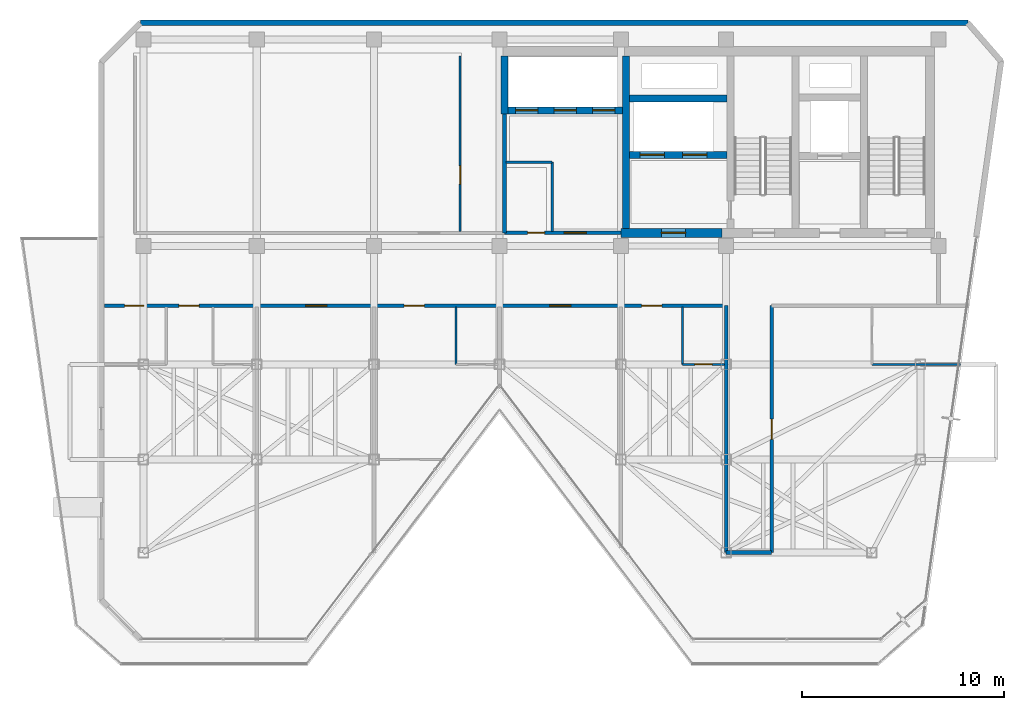
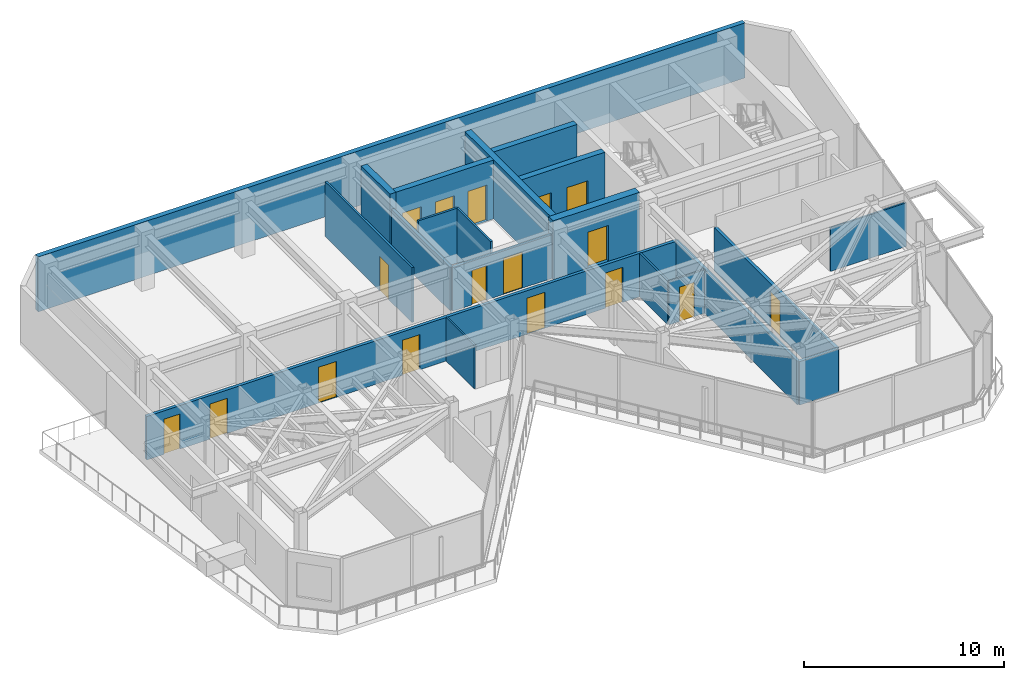
# One storey, part 17 of 20: 20 walls, 17 doors, 17 openings.
"""IFC4 building model written with IfcOpenShell, lengths in metres."""

from ifc_helpers import new_model, si_unit, direction, frame, frame_2d, origin, place, context, subcontext, project, spatial, rectangle, extrude, material, layer, layer_set, type_object, element, fill, save


model = new_model("IFC4")

# Units and contexts
model_context = context("Model", 3, precision=1e-05, world=origin(), true_north=direction((0.0, 1.0)))
body_context = subcontext(model_context, "Body", "Model", "MODEL_VIEW")
ifc_project = project(units=[si_unit("LENGTHUNIT", "METRE"), si_unit("AREAUNIT", "SQUARE_METRE"), si_unit("VOLUMEUNIT", "CUBIC_METRE"), si_unit("PLANEANGLEUNIT", "RADIAN"), si_unit("MASSUNIT", "GRAM", prefix="KILO")], contexts=[model_context])

# Site, building, storey
site_placement = place(None, origin())
site = spatial("IfcSite", under=ifc_project, at=site_placement, CompositionType="ELEMENT")
building_placement = place(site_placement, origin())
building = spatial("IfcBuilding", under=site, at=building_placement, Name="Kravanh Interchange Tower", CompositionType="ELEMENT")
storey_placement = place(building_placement, frame((0.0, 0.0, 245.39990234375)))
storey = spatial("IfcBuildingStorey", under=building, at=storey_placement, Name="L59", CompositionType="ELEMENT", Elevation=245.39990234375)

# Walls
ifc_material_1 = material(Name="Double Acoustic Gypsum Board and Mineral Wool")
ifc_layer_1 = layer(ifc_material_1, 0.1201171875)
ifc_layer_set_1 = layer_set([ifc_layer_1], Name="Acoustic Office Drywall Partition 120mm")
wall_type_1 = type_object("IfcWallType", Name="Acoustic Office Drywall Partition 120mm", PredefinedType="PARTITIONING", material=ifc_layer_set_1)
wall_1_placement = place(storey_placement, frame((47.39990234375, 38.068115234375, 0.0), z_axis=(0.0, 0.0, 1.0), x_axis=(0.0, 1.0, 0.0)))
element("IfcWall", 1, at=wall_1_placement, inside=storey, type_object=wall_type_1, Name="L59 Interior Partition 2", PredefinedType="PARTITIONING", context=body_context, shape_type="SweptSolid", body=[
    extrude(rectangle(XDim=3.431884765625, YDim=0.1201171875, at=frame_2d((1.7158203125, 0.0))), origin(), (0.0, 0.0, 1.0), 3.360107421875),
])
wall_2_placement = place(storey_placement, frame((45.117919921875, 41.5, 0.0), z_axis=(0.0, 0.0, 1.0), x_axis=(1.0, 0.0, 0.0)))
element("IfcWall", 2, at=wall_2_placement, inside=storey, type_object=wall_type_1, Name="L59 Interior Partition 3", PredefinedType="PARTITIONING", context=body_context, shape_type="SweptSolid", body=[
    extrude(rectangle(XDim=2.281982421875, YDim=0.1201171875, at=frame_2d((1.14111328125, 0.0))), origin(), (0.0, 0.0, 1.0), 3.360107421875),
])

# Wall, opening, door
wall_3_placement = place(storey_placement, frame((42.85009765625, 38.068115234375, 0.0), z_axis=(0.0, 0.0, 1.0), x_axis=(0.0, 1.0, 0.0)))
wall_3 = element("IfcWall", 3, at=wall_3_placement, inside=storey, type_object=wall_type_1, Name="L59 Interior Partition 7", PredefinedType="PARTITIONING", context=body_context, shape_type="SweptSolid", body=[
    extrude(rectangle(XDim=8.681884765625, YDim=0.1201171875, at=frame_2d((4.3408203125, 0.0))), origin(), (0.0, 0.0, 1.0), 3.360107421875),
])
opening_1_placement = place(wall_3_placement, frame((2.341796875, 0.0, 0.0)))
opening_1 = element("IfcOpeningElement", 4, at=opening_1_placement, cuts=wall_3, Name="Opening D-90", PredefinedType="OPENING", context=body_context, shape_type="SweptSolid", body=[
    extrude(rectangle(XDim=0.89990234375, YDim=2.10009765625, at=frame_2d((0.449951171875, 1.050048828125))), frame((0.0, 0.070068359375, 0.0), z_axis=(0.0, -1.0, 0.0), x_axis=(1.0, 0.0, 0.0)), (0.0, 0.0, 1.0), 0.14013671875),
])
ifc_material_2 = material(Name="Painted Solid-Core Timber", Category="wood")
door_type_1 = type_object("IfcDoorType", Name="Service Room Door 900x2100", OperationType="NOTDEFINED", PredefinedType="DOOR", material=ifc_material_2)
door_1_placement = place(opening_1_placement, origin())
door_1 = element("IfcDoor", 5, at=door_1_placement, inside=storey, type_object=door_type_1, Name="L59 Housekeeping Inner Door", OperationType="SINGLE_SWING_RIGHT", OverallHeight=2.10009765625, OverallWidth=0.89990234375, PredefinedType="DOOR", context=body_context, shape_type="SweptSolid", body=[
    extrude(rectangle(XDim=0.89990234375, YDim=2.10009765625, at=frame_2d((0.449951171875, 1.050048828125))), frame((0.0, 0.02490234375, 0.0), z_axis=(0.0, -1.0, 0.0), x_axis=(1.0, 0.0, 0.0)), (0.0, 0.0, 1.0), 0.050048828125),
])
fill(opening_1, door_1)

# Wall, openings, doors
ifc_material_3 = material(Name="Concrete C60/75", Category="concrete")
ifc_layer_2 = layer(ifc_material_3, 0.35009765625)
ifc_layer_set_2 = layer_set([ifc_layer_2], Name="Core Shear Wall Concrete C60/75 350mm")
wall_type_2 = type_object("IfcWallType", Name="Core Shear Wall Concrete C60/75 350mm", PredefinedType="SHEAR", material=ifc_layer_set_2)
wall_4_placement = place(storey_placement, frame((51.22509765625, 41.85009765625, 0.0), z_axis=(0.0, 0.0, 1.0), x_axis=(1.0, 0.0, 0.0)))
wall_4 = element("IfcWall", 6, at=wall_4_placement, inside=storey, type_object=wall_type_2, Name="L59 Fire Lift Shaft South Wall", PredefinedType="SHEAR", context=body_context, shape_type="SweptSolid", body=[
    extrude(rectangle(XDim=4.824951171875, YDim=0.35009765625, at=frame_2d((2.41259765625, 0.0))), origin(), (0.0, 0.0, 1.0), 3.60009765625),
])
opening_2_placement = place(wall_4_placement, frame((0.52490234375, 0.0, 0.0)))
opening_2 = element("IfcOpeningElement", 7, at=opening_2_placement, cuts=wall_4, Name="Opening LD02", PredefinedType="OPENING", context=body_context, shape_type="SweptSolid", body=[
    extrude(rectangle(XDim=1.199951171875, YDim=2.199951171875, at=frame_2d((0.60009765625, 1.10009765625))), frame((0.0, 0.18505859375, 0.0), z_axis=(0.0, -1.0, 0.0), x_axis=(1.0, 0.0, 0.0)), (0.0, 0.0, 1.0), 0.3701171875),
])
opening_3_placement = place(wall_4_placement, frame((2.625, 0.0, 0.0)))
opening_3 = element("IfcOpeningElement", 8, at=opening_3_placement, cuts=wall_4, Name="Opening LD02", PredefinedType="OPENING", context=body_context, shape_type="SweptSolid", body=[
    extrude(rectangle(XDim=1.199951171875, YDim=2.199951171875, at=frame_2d((0.60009765625, 1.10009765625))), frame((0.0, 0.18505859375, 0.0), z_axis=(0.0, -1.0, 0.0), x_axis=(1.0, 0.0, 0.0)), (0.0, 0.0, 1.0), 0.3701171875),
])
ifc_material_4 = material(Name="Stainless Steel 316", Category="steel")
door_type_2 = type_object("IfcDoorType", Name="Fire and Service Lift Sliding Landing Door 1200x2200", OperationType="DOUBLE_DOOR_SLIDING", PredefinedType="DOOR", material=ifc_material_4)
door_2_placement = place(opening_2_placement, origin())
door_2 = element("IfcDoor", 9, at=door_2_placement, inside=storey, type_object=door_type_2, Name="L59 Lift FSAE-01 Landing Door", OperationType="DOUBLE_DOOR_SLIDING", OverallHeight=2.199951171875, OverallWidth=1.199951171875, PredefinedType="DOOR", context=body_context, shape_type="SweptSolid", body=[
    extrude(rectangle(XDim=1.199951171875, YDim=2.199951171875, at=frame_2d((0.60009765625, 1.10009765625))), frame((0.0, 0.02490234375, 0.0), z_axis=(0.0, -1.0, 0.0), x_axis=(1.0, 0.0, 0.0)), (0.0, 0.0, 1.0), 0.050048828125),
])
fill(opening_2, door_2)
door_3_placement = place(opening_3_placement, origin())
door_3 = element("IfcDoor", 10, at=door_3_placement, inside=storey, type_object=door_type_2, Name="L59 Lift FSAE-02 Landing Door", OperationType="DOUBLE_DOOR_SLIDING", OverallHeight=2.199951171875, OverallWidth=1.199951171875, PredefinedType="DOOR", context=body_context, shape_type="SweptSolid", body=[
    extrude(rectangle(XDim=1.199951171875, YDim=2.199951171875, at=frame_2d((0.60009765625, 1.10009765625))), frame((0.0, 0.02490234375, 0.0), z_axis=(0.0, -1.0, 0.0), x_axis=(1.0, 0.0, 0.0)), (0.0, 0.0, 1.0), 0.050048828125),
])
fill(opening_3, door_3)

# Walls
wall_5_placement = place(storey_placement, frame((51.22509765625, 44.64990234375, 0.0), z_axis=(0.0, 0.0, 1.0), x_axis=(1.0, 0.0, 0.0)))
element("IfcWall", 11, at=wall_5_placement, inside=storey, type_object=wall_type_2, Name="L59 Fire Lift Shaft North Wall", PredefinedType="SHEAR", context=body_context, shape_type="SweptSolid", body=[
    extrude(rectangle(XDim=4.824951171875, YDim=0.35009765625, at=frame_2d((2.41259765625, 0.0))), origin(), (0.0, 0.0, 1.0), 3.60009765625),
])
wall_6_placement = place(storey_placement, frame((51.050048828125, 38.22509765625, 0.0), z_axis=(0.0, 0.0, 1.0), x_axis=(0.0, 1.0, 0.0)))
element("IfcWall", 12, at=wall_6_placement, inside=storey, type_object=wall_type_2, Name="L59 Firefighting Lobby West Wall", PredefinedType="SHEAR", context=body_context, shape_type="SweptSolid", body=[
    extrude(rectangle(XDim=8.52490234375, YDim=0.35009765625, at=frame_2d((4.262451171875, 0.0))), origin(), (0.0, 0.0, 1.0), 3.60009765625),
])

# Wall, openings, doors
wall_7_placement = place(storey_placement, frame((45.22509765625, 44.050048828125, 0.0), z_axis=(0.0, 0.0, 1.0), x_axis=(1.0, 0.0, 0.0)))
wall_7 = element("IfcWall", 13, at=wall_7_placement, inside=storey, type_object=wall_type_2, Name="L59 High-Rise Lift Shaft South Wall", PredefinedType="SHEAR", context=body_context, shape_type="SweptSolid", body=[
    extrude(rectangle(XDim=5.64990234375, YDim=0.35009765625, at=frame_2d((2.824951171875, 0.0))), origin(), (0.0, 0.0, 1.0), 3.60009765625),
])
opening_4_placement = place(wall_7_placement, frame((0.375, 0.0, 0.0)))
opening_4 = element("IfcOpeningElement", 14, at=opening_4_placement, cuts=wall_7, Name="Opening LD01", PredefinedType="OPENING", context=body_context, shape_type="SweptSolid", body=[
    extrude(rectangle(XDim=1.10009765625, YDim=2.199951171875, at=frame_2d((0.550048828125, 1.10009765625))), frame((0.0, 0.18505859375, 0.0), z_axis=(0.0, -1.0, 0.0), x_axis=(1.0, 0.0, 0.0)), (0.0, 0.0, 1.0), 0.3701171875),
])
opening_5_placement = place(wall_7_placement, frame((2.27490234375, 0.0, 0.0)))
opening_5 = element("IfcOpeningElement", 15, at=opening_5_placement, cuts=wall_7, Name="Opening LD01", PredefinedType="OPENING", context=body_context, shape_type="SweptSolid", body=[
    extrude(rectangle(XDim=1.10009765625, YDim=2.199951171875, at=frame_2d((0.550048828125, 1.10009765625))), frame((0.0, 0.18505859375, 0.0), z_axis=(0.0, -1.0, 0.0), x_axis=(1.0, 0.0, 0.0)), (0.0, 0.0, 1.0), 0.3701171875),
])
opening_6_placement = place(wall_7_placement, frame((4.175048828125, 0.0, 0.0)))
opening_6 = element("IfcOpeningElement", 16, at=opening_6_placement, cuts=wall_7, Name="Opening LD01", PredefinedType="OPENING", context=body_context, shape_type="SweptSolid", body=[
    extrude(rectangle(XDim=1.10009765625, YDim=2.199951171875, at=frame_2d((0.550048828125, 1.10009765625))), frame((0.0, 0.18505859375, 0.0), z_axis=(0.0, -1.0, 0.0), x_axis=(1.0, 0.0, 0.0)), (0.0, 0.0, 1.0), 0.3701171875),
])
ifc_material_5 = material(Name="Stainless Steel 304", Category="steel")
door_type_3 = type_object("IfcDoorType", Name="Passenger Lift Sliding Landing Door 1100x2200", OperationType="DOUBLE_DOOR_SLIDING", PredefinedType="DOOR", material=ifc_material_5)
door_4_placement = place(opening_4_placement, origin())
door_4 = element("IfcDoor", 17, at=door_4_placement, inside=storey, type_object=door_type_3, Name="L59 Lift LP-H1 Landing Door", OperationType="DOUBLE_DOOR_SLIDING", OverallHeight=2.199951171875, OverallWidth=1.10009765625, PredefinedType="DOOR", context=body_context, shape_type="SweptSolid", body=[
    extrude(rectangle(XDim=1.10009765625, YDim=2.199951171875, at=frame_2d((0.550048828125, 1.10009765625))), frame((0.0, 0.02490234375, 0.0), z_axis=(0.0, -1.0, 0.0), x_axis=(1.0, 0.0, 0.0)), (0.0, 0.0, 1.0), 0.050048828125),
])
fill(opening_4, door_4)
door_5_placement = place(opening_5_placement, origin())
door_5 = element("IfcDoor", 18, at=door_5_placement, inside=storey, type_object=door_type_3, Name="L59 Lift LP-H2 Landing Door", OperationType="DOUBLE_DOOR_SLIDING", OverallHeight=2.199951171875, OverallWidth=1.10009765625, PredefinedType="DOOR", context=body_context, shape_type="SweptSolid", body=[
    extrude(rectangle(XDim=1.10009765625, YDim=2.199951171875, at=frame_2d((0.550048828125, 1.10009765625))), frame((0.0, 0.02490234375, 0.0), z_axis=(0.0, -1.0, 0.0), x_axis=(1.0, 0.0, 0.0)), (0.0, 0.0, 1.0), 0.050048828125),
])
fill(opening_5, door_5)
door_6_placement = place(opening_6_placement, origin())
door_6 = element("IfcDoor", 19, at=door_6_placement, inside=storey, type_object=door_type_3, Name="L59 Lift LP-H3 Landing Door", OperationType="DOUBLE_DOOR_SLIDING", OverallHeight=2.199951171875, OverallWidth=1.10009765625, PredefinedType="DOOR", context=body_context, shape_type="SweptSolid", body=[
    extrude(rectangle(XDim=1.10009765625, YDim=2.199951171875, at=frame_2d((0.550048828125, 1.10009765625))), frame((0.0, 0.02490234375, 0.0), z_axis=(0.0, -1.0, 0.0), x_axis=(1.0, 0.0, 0.0)), (0.0, 0.0, 1.0), 0.050048828125),
])
fill(opening_6, door_6)

# Wall
wall_8_placement = place(storey_placement, frame((45.050048828125, 43.875, 0.0), z_axis=(0.0, 0.0, 1.0), x_axis=(0.0, 1.0, 0.0)))
element("IfcWall", 20, at=wall_8_placement, inside=storey, type_object=wall_type_2, Name="L59 High-Rise Lift Shaft West Wall", PredefinedType="SHEAR", context=body_context, shape_type="SweptSolid", body=[
    extrude(rectangle(XDim=2.875, YDim=0.35009765625, at=frame_2d((1.4375, 0.0))), origin(), (0.0, 0.0, 1.0), 3.60009765625),
])

# Wall, opening, door
ifc_material_6 = material(Name="Concrete C60/75", Category="concrete")
ifc_layer_3 = layer(ifc_material_6, 0.449951171875)
ifc_layer_set_3 = layer_set([ifc_layer_3], Name="Core Shear Wall Concrete C60/75 450mm")
wall_type_3 = type_object("IfcWallType", Name="Core Shear Wall Concrete C60/75 450mm", PredefinedType="SHEAR", material=ifc_layer_set_3)
wall_9_placement = place(storey_placement, frame((50.800048828125, 38.0, 0.0), z_axis=(0.0, 0.0, 1.0), x_axis=(1.0, 0.0, 0.0)))
wall_9 = element("IfcWall", 21, at=wall_9_placement, inside=storey, type_object=wall_type_3, Name="L59 Firefighting Lobby South Shear Wall", PredefinedType="SHEAR", context=body_context, shape_type="SweptSolid", body=[
    extrude(rectangle(XDim=5.0, YDim=0.449951171875, at=frame_2d((2.5, 0.0))), origin(), (0.0, 0.0, 1.0), 3.60009765625),
])
opening_7_placement = place(wall_9_placement, frame((2.0, 0.0, 0.0)))
opening_7 = element("IfcOpeningElement", 22, at=opening_7_placement, cuts=wall_9, Name="Opening D-FSAE-120", PredefinedType="OPENING", context=body_context, shape_type="SweptSolid", body=[
    extrude(rectangle(XDim=1.199951171875, YDim=2.199951171875, at=frame_2d((0.60009765625, 1.10009765625))), frame((0.0, 0.23486328125, 0.0), z_axis=(0.0, -1.0, 0.0), x_axis=(1.0, 0.0, 0.0)), (0.0, 0.0, 1.0), 0.469970703125),
])
ifc_material_7 = material(Name="Structural Steel S355", Category="steel")
door_type_4 = type_object("IfcDoorType", Name="Fire-Rated Refuge and FSAE Door 1200x2200", OperationType="NOTDEFINED", PredefinedType="DOOR", material=ifc_material_7)
door_7_placement = place(opening_7_placement, origin())
door_7 = element("IfcDoor", 23, at=door_7_placement, inside=storey, type_object=door_type_4, Name="L59 Firefighting Lobby Corridor Door", OperationType="SINGLE_SWING_RIGHT", OverallHeight=2.199951171875, OverallWidth=1.199951171875, PredefinedType="DOOR", context=body_context, shape_type="SweptSolid", body=[
    extrude(rectangle(XDim=1.199951171875, YDim=2.199951171875, at=frame_2d((0.60009765625, 1.10009765625))), frame((0.0, 0.02490234375, 0.0), z_axis=(0.0, -1.0, 0.0), x_axis=(1.0, 0.0, 0.0)), (0.0, 0.0, 1.0), 0.050048828125),
])
fill(opening_7, door_7)

# Walls
ifc_material_8 = material(Name="Moisture-Resistant Gypsum Board and Mineral Wool")
ifc_layer_4 = layer(ifc_material_8, 0.10009765625)
ifc_layer_set_4 = layer_set([ifc_layer_4], Name="En-Suite Moisture-Resistant Partition 100mm")
wall_type_4 = type_object("IfcWallType", Name="En-Suite Moisture-Resistant Partition 100mm", PredefinedType="PARTITIONING", material=ifc_layer_set_4)
wall_10_placement = place(storey_placement, frame((63.199951171875, 31.5, 0.0), z_axis=(0.0, 0.0, 1.0), x_axis=(1.0, 0.0, 0.0)))
element("IfcWall", 24, at=wall_10_placement, inside=storey, type_object=wall_type_4, Name="L59 Interior Partition 16", PredefinedType="PARTITIONING", context=body_context, shape_type="SweptSolid", body=[
    extrude(rectangle(XDim=4.395751953125, YDim=0.10009765625, at=frame_2d((2.19775390625, 0.0))), origin(), (0.0, 0.0, 1.0), 2.6640625),
])
for number, where, z_axis, x_axis, name in (
    (25, (42.64990234375, 31.5, 0.0), (0.0, 0.0, 1.0), (0.0, 1.0, 0.0), "L59 Interior Partition 23"),
    (26, (53.85009765625, 31.5, 0.0), (0.0, 0.0, 1.0), (0.0, 1.0, 0.0), "L59 Interior Partition 27"),
):
    element("IfcWall", number, at=place(storey_placement, frame(where, z_axis=z_axis, x_axis=x_axis)), inside=storey, type_object=wall_type_4, Name=name, PredefinedType="PARTITIONING", context=body_context, shape_type="SweptSolid", body=[
        extrude(rectangle(XDim=2.83203125, YDim=0.10009765625, at=frame_2d((1.416015625, 0.0))), origin(), (0.0, 0.0, 1.0), 2.6640625),
    ])

# Wall, opening, door
wall_11_placement = place(storey_placement, frame((53.85009765625, 31.5, 0.0), z_axis=(0.0, 0.0, 1.0), x_axis=(1.0, 0.0, 0.0)))
wall_11 = element("IfcWall", 27, at=wall_11_placement, inside=storey, type_object=wall_type_4, Name="L59 Interior Partition 28", PredefinedType="PARTITIONING", context=body_context, shape_type="SweptSolid", body=[
    extrude(rectangle(XDim=2.081787109375, YDim=0.10009765625, at=frame_2d((1.041015625, 0.0))), origin(), (0.0, 0.0, 1.0), 2.6640625),
])
opening_8_placement = place(wall_11_placement, frame((0.607421875, 0.0, 0.0)))
opening_8 = element("IfcOpeningElement", 28, at=opening_8_placement, cuts=wall_11, Name="Opening D-85", PredefinedType="OPENING", context=body_context, shape_type="SweptSolid", body=[
    extrude(rectangle(XDim=0.85009765625, YDim=2.10009765625, at=frame_2d((0.425048828125, 1.050048828125))), frame((0.0, 0.06005859375, 0.0), z_axis=(0.0, -1.0, 0.0), x_axis=(1.0, 0.0, 0.0)), (0.0, 0.0, 1.0), 0.1201171875),
])
ifc_material_9 = material(Name="Engineered Teak Veneer Timber", Category="wood")
door_type_5 = type_object("IfcDoorType", Name="En-Suite Timber Door 850x2100", OperationType="NOTDEFINED", PredefinedType="DOOR", material=ifc_material_9)
door_8_placement = place(opening_8_placement, origin())
door_8 = element("IfcDoor", 29, at=door_8_placement, inside=storey, type_object=door_type_5, Name="L59 En-suite Bathroom Door", OperationType="SINGLE_SWING_RIGHT", OverallHeight=2.10009765625, OverallWidth=0.85009765625, PredefinedType="DOOR", context=body_context, shape_type="SweptSolid", body=[
    extrude(rectangle(XDim=0.85009765625, YDim=2.10009765625, at=frame_2d((0.425048828125, 1.050048828125))), frame((0.0, 0.02490234375, 0.0), z_axis=(0.0, -1.0, 0.0), x_axis=(1.0, 0.0, 0.0)), (0.0, 0.0, 1.0), 0.050048828125),
])
fill(opening_8, door_8)

# Wall
ifc_material_10 = material(Name="Insulated Precast Concrete C40/50 with Bronze Cladding", Category="concrete")
ifc_layer_5 = layer(ifc_material_10, 0.280029296875)
ifc_layer_set_5 = layer_set([ifc_layer_5], Name="Exterior Insulated Concrete C40/50 Bronze Spandrel Wall 280mm")
wall_type_5 = type_object("IfcWallType", Name="Exterior Insulated Concrete C40/50 Bronze Spandrel Wall 280mm", PredefinedType="STANDARD", material=ifc_layer_set_5)
wall_12_placement = place(storey_placement, frame((27.0498046875, 48.3798828125, 0.0), z_axis=(0.0, 0.0, 1.0), x_axis=(1.0, 0.0, 0.0)))
element("IfcWall", 30, at=wall_12_placement, inside=storey, type_object=wall_type_5, Name="L59 Exterior Wall 4", PredefinedType="STANDARD", context=body_context, shape_type="SweptSolid", body=[
    extrude(rectangle(XDim=40.8955078125, YDim=0.280029296875, at=frame_2d((20.44775390625, 0.0))), origin(), (0.0, 0.0, 1.0), 3.360107421875),
])

# Wall, openings, doors
ifc_material_11 = material(Name="Autoclaved Aerated Concrete C30/37 Blockwork", Category="masonry")
ifc_layer_6 = layer(ifc_material_11, 0.179931640625)
ifc_layer_set_6 = layer_set([ifc_layer_6], Name="Fire-Rated Lobby and Corridor Wall Concrete C30/37 180mm")
wall_type_6 = type_object("IfcWallType", Name="Fire-Rated Lobby and Corridor Wall Concrete C30/37 180mm", PredefinedType="STANDARD", material=ifc_layer_set_6)
wall_13_placement = place(storey_placement, frame((45.050048828125, 38.0, 0.0), z_axis=(0.0, 0.0, 1.0), x_axis=(1.0, 0.0, 0.0)))
wall_13 = element("IfcWall", 31, at=wall_13_placement, inside=storey, type_object=wall_type_6, Name="L59 High-Rise Lift Lobby Wall 1", PredefinedType="STANDARD", context=body_context, shape_type="SweptSolid", body=[
    extrude(rectangle(XDim=5.75, YDim=0.179931640625, at=frame_2d((2.875, 0.0))), origin(), (0.0, 0.0, 1.0), 2.6640625),
])
opening_9_placement = place(wall_13_placement, frame((1.135009765625, 0.0, 0.0)))
opening_9 = element("IfcOpeningElement", 32, at=opening_9_placement, cuts=wall_13, Name="Opening D-85", PredefinedType="OPENING", context=body_context, shape_type="SweptSolid", body=[
    extrude(rectangle(XDim=0.85009765625, YDim=2.10009765625, at=frame_2d((0.425048828125, 1.050048828125))), frame((0.0, 0.10009765625, 0.0), z_axis=(0.0, -1.0, 0.0), x_axis=(1.0, 0.0, 0.0)), (0.0, 0.0, 1.0), 0.199951171875),
])
opening_10_placement = place(wall_13_placement, frame((2.949951171875, 0.0, 0.0)))
opening_10 = element("IfcOpeningElement", 33, at=opening_10_placement, cuts=wall_13, Name="Opening D-SHAFT-110", PredefinedType="OPENING", context=body_context, shape_type="SweptSolid", body=[
    extrude(rectangle(XDim=1.10009765625, YDim=2.199951171875, at=frame_2d((0.550048828125, 1.10009765625))), frame((0.0, 0.10009765625, 0.0), z_axis=(0.0, -1.0, 0.0), x_axis=(1.0, 0.0, 0.0)), (0.0, 0.0, 1.0), 0.199951171875),
])
door_9_placement = place(opening_9_placement, origin())
door_9 = element("IfcDoor", 34, at=door_9_placement, inside=storey, type_object=door_type_5, Name="L59 Core Linen Closet Door", OperationType="SINGLE_SWING_LEFT", OverallHeight=2.10009765625, OverallWidth=0.85009765625, PredefinedType="DOOR", context=body_context, shape_type="SweptSolid", body=[
    extrude(rectangle(XDim=0.85009765625, YDim=2.10009765625, at=frame_2d((0.425048828125, 1.050048828125))), frame((0.0, 0.02490234375, 0.0), z_axis=(0.0, -1.0, 0.0), x_axis=(1.0, 0.0, 0.0)), (0.0, 0.0, 1.0), 0.050048828125),
])
fill(opening_9, door_9)
ifc_material_12 = material(Name="Fire-Rated Composite Timber Leaf", Category="wood")
door_type_6 = type_object("IfcDoorType", Name="Fire-Rated Core Support Door 1100x2200", OperationType="NOTDEFINED", PredefinedType="DOOR", material=ifc_material_12)
door_10_placement = place(opening_10_placement, origin())
door_10 = element("IfcDoor", 35, at=door_10_placement, inside=storey, type_object=door_type_6, Name="L59 High-Rise Lift Lobby Door", OperationType="SINGLE_SWING_RIGHT", OverallHeight=2.199951171875, OverallWidth=1.10009765625, PredefinedType="DOOR", context=body_context, shape_type="SweptSolid", body=[
    extrude(rectangle(XDim=1.10009765625, YDim=2.199951171875, at=frame_2d((0.550048828125, 1.10009765625))), frame((0.0, 0.02490234375, 0.0), z_axis=(0.0, -1.0, 0.0), x_axis=(1.0, 0.0, 0.0)), (0.0, 0.0, 1.0), 0.050048828125),
])
fill(opening_10, door_10)

# Wall
wall_14_placement = place(storey_placement, frame((45.050048828125, 38.0, 0.0), z_axis=(0.0, 0.0, 1.0), x_axis=(0.0, 1.0, 0.0)))
element("IfcWall", 36, at=wall_14_placement, inside=storey, type_object=wall_type_6, Name="L59 Interior Partition 4", PredefinedType="STANDARD", context=body_context, shape_type="SweptSolid", body=[
    extrude(rectangle(XDim=5.875, YDim=0.179931640625, at=frame_2d((2.9375, 0.0))), origin(), (0.0, 0.0, 1.0), 2.6640625),
])

# Wall, openings, doors
wall_15_placement = place(storey_placement, frame((25.284912109375, 34.39990234375, 0.0), z_axis=(0.0, 0.0, 1.0), x_axis=(1.0, 0.0, 0.0)))
wall_15 = element("IfcWall", 37, at=wall_15_placement, inside=storey, type_object=wall_type_6, Name="L59 Interior Partition 8", PredefinedType="STANDARD", context=body_context, shape_type="SweptSolid", body=[
    extrude(rectangle(XDim=30.715087890625, YDim=0.179931640625, at=frame_2d((15.357421875, 0.0))), origin(), (0.0, 0.0, 1.0), 2.6640625),
])
opening_11_placement = place(wall_15_placement, frame((0.9892578125, 0.0, 0.0)))
opening_11 = element("IfcOpeningElement", 38, at=opening_11_placement, cuts=wall_15, Name="Opening D-95", PredefinedType="OPENING", context=body_context, shape_type="SweptSolid", body=[
    extrude(rectangle(XDim=0.949951171875, YDim=2.14990234375, at=frame_2d((0.47509765625, 1.074951171875))), frame((0.0, 0.10009765625, 0.0), z_axis=(0.0, -1.0, 0.0), x_axis=(1.0, 0.0, 0.0)), (0.0, 0.0, 1.0), 0.199951171875),
])
opening_12_placement = place(wall_15_placement, frame((3.668701171875, 0.0, 0.0)))
opening_12 = element("IfcOpeningElement", 39, at=opening_12_placement, cuts=wall_15, Name="Opening D-HOTEL-100", PredefinedType="OPENING", context=body_context, shape_type="SweptSolid", body=[
    extrude(rectangle(XDim=1.0, YDim=2.14990234375, at=frame_2d((0.5, 1.074951171875))), frame((0.0, 0.10009765625, 0.0), z_axis=(0.0, -1.0, 0.0), x_axis=(1.0, 0.0, 0.0)), (0.0, 0.0, 1.0), 0.199951171875),
])
opening_13_placement = place(wall_15_placement, frame((9.9306640625, 0.0, 0.0)))
opening_13 = element("IfcOpeningElement", 40, at=opening_13_placement, cuts=wall_15, Name="Opening D-105", PredefinedType="OPENING", context=body_context, shape_type="SweptSolid", body=[
    extrude(rectangle(XDim=1.050048828125, YDim=2.199951171875, at=frame_2d((0.52490234375, 1.10009765625))), frame((0.0, 0.10009765625, 0.0), z_axis=(0.0, -1.0, 0.0), x_axis=(1.0, 0.0, 0.0)), (0.0, 0.0, 1.0), 0.199951171875),
])
opening_14_placement = place(wall_15_placement, frame((14.7998046875, 0.0, 0.0)))
opening_14 = element("IfcOpeningElement", 41, at=opening_14_placement, cuts=wall_15, Name="Opening D-HOTEL-100", PredefinedType="OPENING", context=body_context, shape_type="SweptSolid", body=[
    extrude(rectangle(XDim=1.0, YDim=2.14990234375, at=frame_2d((0.5, 1.074951171875))), frame((0.0, 0.10009765625, 0.0), z_axis=(0.0, -1.0, 0.0), x_axis=(1.0, 0.0, 0.0)), (0.0, 0.0, 1.0), 0.199951171875),
])
opening_15_placement = place(wall_15_placement, frame((21.989990234375, 0.0, 0.0)))
opening_15 = element("IfcOpeningElement", 42, at=opening_15_placement, cuts=wall_15, Name="Opening D-105", PredefinedType="OPENING", context=body_context, shape_type="SweptSolid", body=[
    extrude(rectangle(XDim=1.050048828125, YDim=2.199951171875, at=frame_2d((0.52490234375, 1.10009765625))), frame((0.0, 0.10009765625, 0.0), z_axis=(0.0, -1.0, 0.0), x_axis=(1.0, 0.0, 0.0)), (0.0, 0.0, 1.0), 0.199951171875),
])
opening_16_placement = place(wall_15_placement, frame((26.5400390625, 0.0, 0.0)))
opening_16 = element("IfcOpeningElement", 43, at=opening_16_placement, cuts=wall_15, Name="Opening D-HOTEL-100", PredefinedType="OPENING", context=body_context, shape_type="SweptSolid", body=[
    extrude(rectangle(XDim=1.0, YDim=2.14990234375, at=frame_2d((0.5, 1.074951171875))), frame((0.0, 0.10009765625, 0.0), z_axis=(0.0, -1.0, 0.0), x_axis=(1.0, 0.0, 0.0)), (0.0, 0.0, 1.0), 0.199951171875),
])
ifc_material_13 = material(Name="Laminate Solid-Core Timber", Category="wood")
door_type_7 = type_object("IfcDoorType", Name="Accessible Restroom Door 950x2150", OperationType="NOTDEFINED", PredefinedType="DOOR", material=ifc_material_13)
door_11_placement = place(opening_11_placement, origin())
door_11 = element("IfcDoor", 44, at=door_11_placement, inside=storey, type_object=door_type_7, Name="L59 Accessible WC Door", OperationType="SINGLE_SWING_LEFT", OverallHeight=2.14990234375, OverallWidth=0.949951171875, PredefinedType="DOOR", context=body_context, shape_type="SweptSolid", body=[
    extrude(rectangle(XDim=0.949951171875, YDim=2.14990234375, at=frame_2d((0.47509765625, 1.074951171875))), frame((0.0, 0.02490234375, 0.0), z_axis=(0.0, -1.0, 0.0), x_axis=(1.0, 0.0, 0.0)), (0.0, 0.0, 1.0), 0.050048828125),
])
fill(opening_11, door_11)
ifc_material_14 = material(Name="Fire-Rated Solid Timber Leaf", Category="wood")
door_type_8 = type_object("IfcDoorType", Name="Fire-Rated Suite Entrance Door 1000x2150", OperationType="NOTDEFINED", PredefinedType="DOOR", material=ifc_material_14)
door_12_placement = place(opening_12_placement, origin())
door_12 = element("IfcDoor", 45, at=door_12_placement, inside=storey, type_object=door_type_8, Name="L59 Presidential Hotel Suite Entrance Door", OperationType="SINGLE_SWING_RIGHT", OverallHeight=2.14990234375, OverallWidth=1.0, PredefinedType="DOOR", context=body_context, shape_type="SweptSolid", body=[
    extrude(rectangle(XDim=1.0, YDim=2.14990234375, at=frame_2d((0.5, 1.074951171875))), frame((0.0, 0.02490234375, 0.0), z_axis=(0.0, -1.0, 0.0), x_axis=(1.0, 0.0, 0.0)), (0.0, 0.0, 1.0), 0.050048828125),
])
fill(opening_12, door_12)
door_13_placement = place(opening_14_placement, origin())
door_13 = element("IfcDoor", 46, at=door_13_placement, inside=storey, type_object=door_type_8, Name="L59 Hotel Guest Room C Entrance Door", OperationType="SINGLE_SWING_RIGHT", OverallHeight=2.14990234375, OverallWidth=1.0, PredefinedType="DOOR", context=body_context, shape_type="SweptSolid", body=[
    extrude(rectangle(XDim=1.0, YDim=2.14990234375, at=frame_2d((0.5, 1.074951171875))), frame((0.0, 0.02490234375, 0.0), z_axis=(0.0, -1.0, 0.0), x_axis=(1.0, 0.0, 0.0)), (0.0, 0.0, 1.0), 0.050048828125),
])
fill(opening_14, door_13)
door_14_placement = place(opening_16_placement, origin())
door_14 = element("IfcDoor", 47, at=door_14_placement, inside=storey, type_object=door_type_8, Name="L59 Presidential Hotel Suite Entrance Door", OperationType="SINGLE_SWING_LEFT", OverallHeight=2.14990234375, OverallWidth=1.0, PredefinedType="DOOR", context=body_context, shape_type="SweptSolid", body=[
    extrude(rectangle(XDim=1.0, YDim=2.14990234375, at=frame_2d((0.5, 1.074951171875))), frame((0.0, 0.02490234375, 0.0), z_axis=(0.0, -1.0, 0.0), x_axis=(1.0, 0.0, 0.0)), (0.0, 0.0, 1.0), 0.050048828125),
])
fill(opening_16, door_14)
ifc_material_15 = material(Name="Acoustic Glazed Oak and Aluminium", Category="aluminium")
door_type_9 = type_object("IfcDoorType", Name="Office Workplace Door 1050x2200", OperationType="NOTDEFINED", PredefinedType="DOOR", material=ifc_material_15)
door_15_placement = place(opening_13_placement, origin())
door_15 = element("IfcDoor", 48, at=door_15_placement, inside=storey, type_object=door_type_9, Name="L59 VIP Meeting Salon 1 Door", OperationType="SINGLE_SWING_RIGHT", OverallHeight=2.199951171875, OverallWidth=1.050048828125, PredefinedType="DOOR", context=body_context, shape_type="SweptSolid", body=[
    extrude(rectangle(XDim=1.050048828125, YDim=2.199951171875, at=frame_2d((0.52490234375, 1.10009765625))), frame((0.0, 0.02490234375, 0.0), z_axis=(0.0, -1.0, 0.0), x_axis=(1.0, 0.0, 0.0)), (0.0, 0.0, 1.0), 0.050048828125),
])
fill(opening_13, door_15)
door_16_placement = place(opening_15_placement, origin())
door_16 = element("IfcDoor", 49, at=door_16_placement, inside=storey, type_object=door_type_9, Name="L59 VIP Meeting Salon 2 Door", OperationType="SINGLE_SWING_RIGHT", OverallHeight=2.199951171875, OverallWidth=1.050048828125, PredefinedType="DOOR", context=body_context, shape_type="SweptSolid", body=[
    extrude(rectangle(XDim=1.050048828125, YDim=2.199951171875, at=frame_2d((0.52490234375, 1.10009765625))), frame((0.0, 0.02490234375, 0.0), z_axis=(0.0, -1.0, 0.0), x_axis=(1.0, 0.0, 0.0)), (0.0, 0.0, 1.0), 0.050048828125),
])
fill(opening_15, door_16)

# Wall
wall_16_placement = place(storey_placement, frame((56.0, 22.199951171875, 0.0), z_axis=(0.0, 0.0, 1.0), x_axis=(0.0, 1.0, 0.0)))
element("IfcWall", 50, at=wall_16_placement, inside=storey, type_object=wall_type_6, Name="L59 Interior Partition 11", PredefinedType="STANDARD", context=body_context, shape_type="SweptSolid", body=[
    extrude(rectangle(XDim=12.199951171875, YDim=0.179931640625, at=frame_2d((6.10009765625, 0.0))), origin(), (0.0, 0.0, 1.0), 2.6640625),
])

# Wall, opening, door
wall_17_placement = place(storey_placement, frame((58.25, 22.199951171875, 0.0), z_axis=(0.0, 0.0, 1.0), x_axis=(0.0, 1.0, 0.0)))
wall_17 = element("IfcWall", 51, at=wall_17_placement, inside=storey, type_object=wall_type_6, Name="L59 Interior Partition 12", PredefinedType="STANDARD", context=body_context, shape_type="SweptSolid", body=[
    extrude(rectangle(XDim=12.199951171875, YDim=0.179931640625, at=frame_2d((6.10009765625, 0.0))), origin(), (0.0, 0.0, 1.0), 2.6640625),
])
opening_17_placement = place(wall_17_placement, frame((5.60009765625, 0.0, 0.0)))
opening_17 = element("IfcOpeningElement", 52, at=opening_17_placement, cuts=wall_17, Name="Opening D-HOTEL-100", PredefinedType="OPENING", context=body_context, shape_type="SweptSolid", body=[
    extrude(rectangle(XDim=1.0, YDim=2.14990234375, at=frame_2d((0.5, 1.074951171875))), frame((0.0, 0.10009765625, 0.0), z_axis=(0.0, -1.0, 0.0), x_axis=(1.0, 0.0, 0.0)), (0.0, 0.0, 1.0), 0.199951171875),
])
door_17_placement = place(opening_17_placement, origin())
door_17 = element("IfcDoor", 53, at=door_17_placement, inside=storey, type_object=door_type_8, Name="L59 Royal Panorama Hotel Suite Entrance Door", OperationType="SINGLE_SWING_RIGHT", OverallHeight=2.14990234375, OverallWidth=1.0, PredefinedType="DOOR", context=body_context, shape_type="SweptSolid", body=[
    extrude(rectangle(XDim=1.0, YDim=2.14990234375, at=frame_2d((0.5, 1.074951171875))), frame((0.0, 0.02490234375, 0.0), z_axis=(0.0, -1.0, 0.0), x_axis=(1.0, 0.0, 0.0)), (0.0, 0.0, 1.0), 0.050048828125),
])
fill(opening_17, door_17)

# Wall
wall_18_placement = place(storey_placement, frame((56.0, 22.199951171875, 0.0), z_axis=(0.0, 0.0, 1.0), x_axis=(1.0, 0.0, 0.0)))
element("IfcWall", 54, at=wall_18_placement, inside=storey, type_object=wall_type_6, Name="L59 Interior Partition 13", PredefinedType="STANDARD", context=body_context, shape_type="SweptSolid", body=[
    extrude(rectangle(XDim=2.25, YDim=0.179931640625, at=frame_2d((1.125, 0.0))), origin(), (0.0, 0.0, 1.0), 2.6640625),
])

save(model, "model.ifc")
